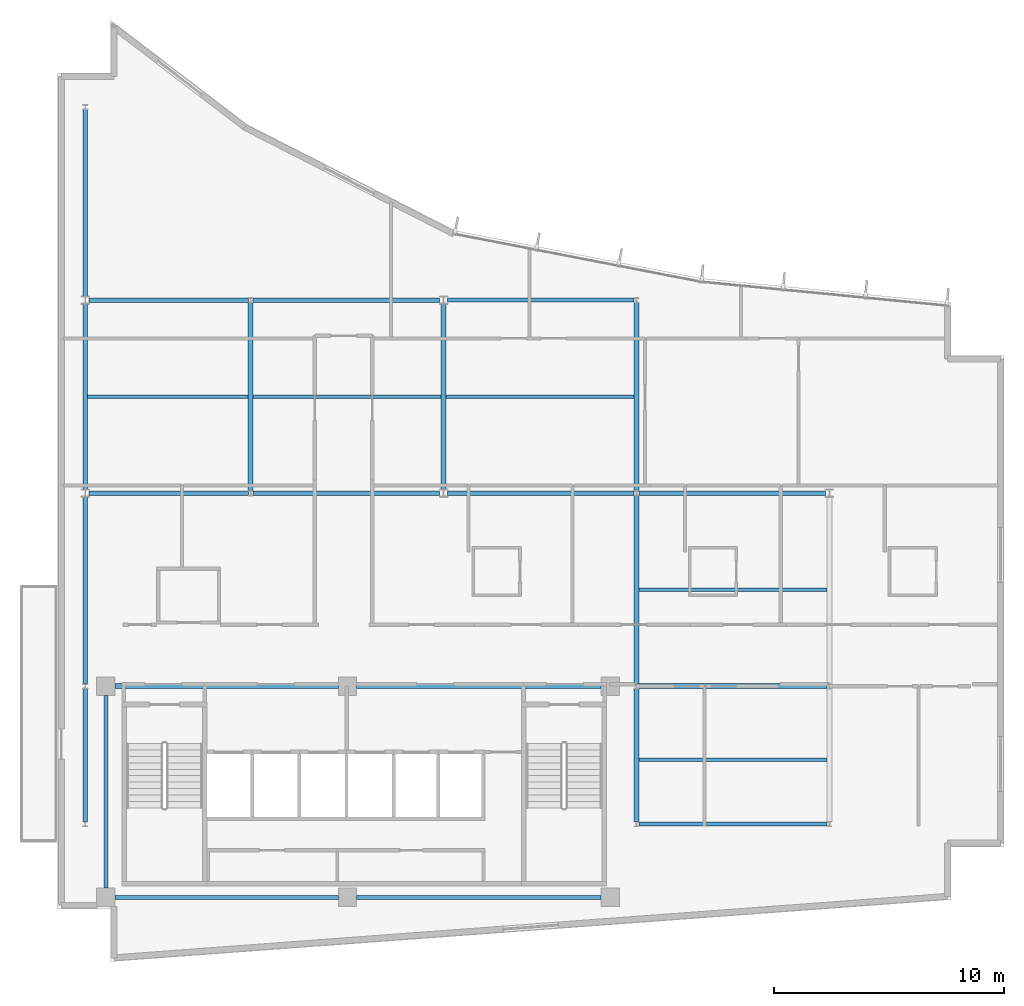
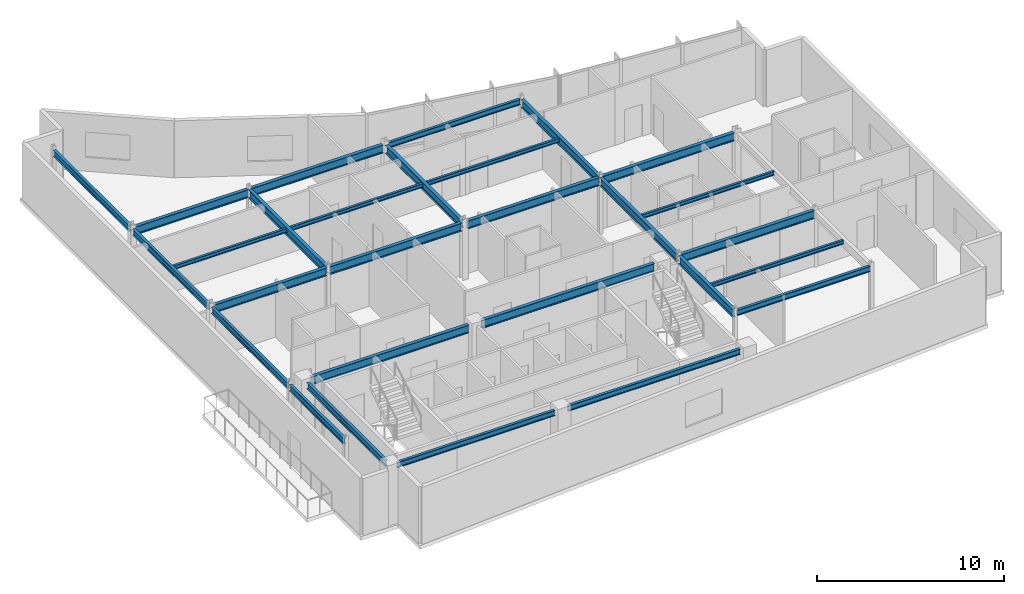
# One storey, part 5 of 16: 28 beams.
"""IFC4 building model written with IfcOpenShell, lengths in metres."""

from ifc_helpers import new_model, si_unit, direction, frame, origin, origin_2d, place, context, subcontext, project, spatial, i_section, extrude, material, material_profile, profile_set, type_object, element, save


model = new_model("IFC4")

# Units and contexts
model_context = context("Model", 3, precision=1e-05, world=origin(), true_north=direction((0.0, 1.0)))
body_context = subcontext(model_context, "Body", "Model", "MODEL_VIEW")
ifc_project = project(units=[si_unit("LENGTHUNIT", "METRE"), si_unit("AREAUNIT", "SQUARE_METRE"), si_unit("VOLUMEUNIT", "CUBIC_METRE"), si_unit("PLANEANGLEUNIT", "RADIAN"), si_unit("MASSUNIT", "GRAM", prefix="KILO")], contexts=[model_context])

# Site, building, storey
site_placement = place(None, origin())
site = spatial("IfcSite", under=ifc_project, at=site_placement, CompositionType="ELEMENT")
building_placement = place(site_placement, origin())
building = spatial("IfcBuilding", under=site, at=building_placement, Name="Varnakote Quay Hospital", CompositionType="ELEMENT")
storey_placement = place(building_placement, frame((0.0, 0.0, 280.25)))
storey = spatial("IfcBuildingStorey", under=building, at=storey_placement, Name="L69", CompositionType="ELEMENT", Elevation=280.25)

# Beams
ifc_material_1 = material(Name="Structural steel AS/NZS 3679.1 Grade 350 L0 (fy 340 MPa)", Category="steel")
ifc_material_profile_1 = material_profile(ifc_material_1, i_section(OverallWidth=0.208984375, OverallDepth=0.528076171875, WebThickness=0.009521484375, FlangeThickness=0.01318359375, FilletRadius=0.013916015625, at=origin_2d()), Name="530UB82.0")
ifc_profile_set_1 = profile_set([ifc_material_profile_1], Name="Structural steel AS/NZS 3679.1 Grade 350 L0 (fy 340 MPa)")
beam_type_1 = type_object("IfcBeamType", Name="BM-STL-530UB82-0", PredefinedType="BEAM", material=ifc_profile_set_1)
beam_1_placement = place(storey_placement, frame((2.5, 12.0, 3.446044921875), z_axis=(1.0, 0.0, 0.0), x_axis=(0.0, 1.0, 0.0)))
element("IfcBeam", 1, at=beam_1_placement, inside=storey, type_object=beam_type_1, Name="L69 Primary Floor Beam", PredefinedType="BEAM", context=body_context, shape_type="SweptSolid", body=[
    extrude(i_section(OverallWidth=0.208984375, OverallDepth=0.528076171875, WebThickness=0.009521484375, FlangeThickness=0.01318359375, FilletRadius=0.013916015625, at=origin_2d()), origin(), (0.0, 0.0, 1.0), 9.719970703125),
])
beam_2_placement = place(storey_placement, frame((13.02001953125, 12.0, 3.446044921875), z_axis=(1.0, 0.0, 0.0), x_axis=(0.0, 1.0, 0.0)))
element("IfcBeam", 2, at=beam_2_placement, inside=storey, type_object=beam_type_1, Name="L69 Primary Floor Beam", PredefinedType="BEAM", context=body_context, shape_type="SweptSolid", body=[
    extrude(i_section(OverallWidth=0.208984375, OverallDepth=0.528076171875, WebThickness=0.009521484375, FlangeThickness=0.01318359375, FilletRadius=0.013916015625, at=origin_2d()), origin(), (0.0, 0.0, 1.0), 10.6298828125),
])
beam_3_placement = place(storey_placement, frame((25.302490234375, 12.0, 3.446044921875), z_axis=(1.0, 0.0, 0.0), x_axis=(0.0, 1.0, 0.0)))
element("IfcBeam", 3, at=beam_3_placement, inside=storey, type_object=beam_type_1, Name="L69 Primary Floor Beam", PredefinedType="BEAM", context=body_context, shape_type="SweptSolid", body=[
    extrude(i_section(OverallWidth=0.208984375, OverallDepth=0.528076171875, WebThickness=0.009521484375, FlangeThickness=0.01318359375, FilletRadius=0.013916015625, at=origin_2d()), origin(), (0.0, 0.0, 1.0), 8.195068359375),
])
beam_4_placement = place(storey_placement, frame((1.375, 20.39990234375, 3.446044921875), z_axis=(1.0, 0.0, 0.0), x_axis=(0.0, 1.0, 0.0)))
element("IfcBeam", 4, at=beam_4_placement, inside=storey, type_object=beam_type_1, Name="L69 Primary Floor Beam", PredefinedType="BEAM", context=body_context, shape_type="SweptSolid", body=[
    extrude(i_section(OverallWidth=0.208984375, OverallDepth=0.528076171875, WebThickness=0.009521484375, FlangeThickness=0.01318359375, FilletRadius=0.013916015625, at=origin_2d()), origin(), (0.0, 0.0, 1.0), 6.922607421875),
])
beam_5_placement = place(storey_placement, frame((8.50244140625, 20.39990234375, 3.446044921875), z_axis=(1.0, 0.0, 0.0), x_axis=(0.0, 1.0, 0.0)))
element("IfcBeam", 5, at=beam_5_placement, inside=storey, type_object=beam_type_1, Name="L69 Primary Floor Beam", PredefinedType="BEAM", context=body_context, shape_type="SweptSolid", body=[
    extrude(i_section(OverallWidth=0.208984375, OverallDepth=0.528076171875, WebThickness=0.009521484375, FlangeThickness=0.01318359375, FilletRadius=0.013916015625, at=origin_2d()), origin(), (0.0, 0.0, 1.0), 8.12255859375),
])
beam_6_placement = place(storey_placement, frame((16.97509765625, 20.39990234375, 3.446044921875), z_axis=(1.0, 0.0, 0.0), x_axis=(0.0, 1.0, 0.0)))
element("IfcBeam", 6, at=beam_6_placement, inside=storey, type_object=beam_type_1, Name="L69 Primary Floor Beam", PredefinedType="BEAM", context=body_context, shape_type="SweptSolid", body=[
    extrude(i_section(OverallWidth=0.208984375, OverallDepth=0.528076171875, WebThickness=0.009521484375, FlangeThickness=0.01318359375, FilletRadius=0.013916015625, at=origin_2d()), origin(), (0.0, 0.0, 1.0), 8.122314453125),
])
beam_7_placement = place(storey_placement, frame((25.302490234375, 20.39990234375, 3.446044921875), z_axis=(1.0, 0.0, 0.0), x_axis=(0.0, 1.0, 0.0)))
element("IfcBeam", 7, at=beam_7_placement, inside=storey, type_object=beam_type_1, Name="L69 Primary Floor Beam", PredefinedType="BEAM", context=body_context, shape_type="SweptSolid", body=[
    extrude(i_section(OverallWidth=0.208984375, OverallDepth=0.528076171875, WebThickness=0.009521484375, FlangeThickness=0.01318359375, FilletRadius=0.013916015625, at=origin_2d()), origin(), (0.0, 0.0, 1.0), 8.12255859375),
])
beam_8_placement = place(storey_placement, frame((1.375, 28.800048828125, 3.446044921875), z_axis=(1.0, 0.0, 0.0), x_axis=(0.0, 1.0, 0.0)))
element("IfcBeam", 8, at=beam_8_placement, inside=storey, type_object=beam_type_1, Name="L69 Primary Floor Beam", PredefinedType="BEAM", context=body_context, shape_type="SweptSolid", body=[
    extrude(i_section(OverallWidth=0.208984375, OverallDepth=0.528076171875, WebThickness=0.009521484375, FlangeThickness=0.01318359375, FilletRadius=0.013916015625, at=origin_2d()), origin(), (0.0, 0.0, 1.0), 6.922607421875),
])
beam_9_placement = place(storey_placement, frame((8.50244140625, 28.800048828125, 3.446044921875), z_axis=(1.0, 0.0, 0.0), x_axis=(0.0, 1.0, 0.0)))
element("IfcBeam", 9, at=beam_9_placement, inside=storey, type_object=beam_type_1, Name="L69 Primary Floor Beam", PredefinedType="BEAM", context=body_context, shape_type="SweptSolid", body=[
    extrude(i_section(OverallWidth=0.208984375, OverallDepth=0.528076171875, WebThickness=0.009521484375, FlangeThickness=0.01318359375, FilletRadius=0.013916015625, at=origin_2d()), origin(), (0.0, 0.0, 1.0), 8.12255859375),
])
beam_10_placement = place(storey_placement, frame((8.39990234375, 20.5048828125, 3.446044921875), z_axis=(0.0, 1.0, 0.0), x_axis=(-1.0, 0.0, 0.0)))
element("IfcBeam", 10, at=beam_10_placement, inside=storey, type_object=beam_type_1, Name="L69 Primary Tie Beam", PredefinedType="BEAM", context=body_context, shape_type="SweptSolid", body=[
    extrude(i_section(OverallWidth=0.208984375, OverallDepth=0.528076171875, WebThickness=0.009521484375, FlangeThickness=0.01318359375, FilletRadius=0.013916015625, at=origin_2d()), origin(), (0.0, 0.0, 1.0), 8.190185546875),
])
beam_11_placement = place(storey_placement, frame((16.800048828125, 20.570068359375, 3.446044921875), z_axis=(0.0, 1.0, 0.0), x_axis=(-1.0, 0.0, 0.0)))
element("IfcBeam", 11, at=beam_11_placement, inside=storey, type_object=beam_type_1, Name="L69 Primary Tie Beam", PredefinedType="BEAM", context=body_context, shape_type="SweptSolid", body=[
    extrude(i_section(OverallWidth=0.208984375, OverallDepth=0.528076171875, WebThickness=0.009521484375, FlangeThickness=0.01318359375, FilletRadius=0.013916015625, at=origin_2d()), origin(), (0.0, 0.0, 1.0), 8.059814453125),
])
beam_12_placement = place(storey_placement, frame((25.199951171875, 6.10498046875, 3.446044921875), z_axis=(0.0, 1.0, 0.0), x_axis=(-1.0, 0.0, 0.0)))
element("IfcBeam", 12, at=beam_12_placement, inside=storey, type_object=beam_type_1, Name="L69 Primary Tie Beam", PredefinedType="BEAM", context=body_context, shape_type="SweptSolid", body=[
    extrude(i_section(OverallWidth=0.208984375, OverallDepth=0.528076171875, WebThickness=0.009521484375, FlangeThickness=0.01318359375, FilletRadius=0.013916015625, at=origin_2d()), origin(), (0.0, 0.0, 1.0), 5.7900390625),
])
beam_13_placement = place(storey_placement, frame((25.199951171875, 12.10498046875, 3.446044921875), z_axis=(0.0, 1.0, 0.0), x_axis=(-1.0, 0.0, 0.0)))
element("IfcBeam", 13, at=beam_13_placement, inside=storey, type_object=beam_type_1, Name="L69 Primary Tie Beam", PredefinedType="BEAM", context=body_context, shape_type="SweptSolid", body=[
    extrude(i_section(OverallWidth=0.208984375, OverallDepth=0.528076171875, WebThickness=0.009521484375, FlangeThickness=0.01318359375, FilletRadius=0.013916015625, at=origin_2d()), origin(), (0.0, 0.0, 1.0), 8.18994140625),
])
beam_14_placement = place(storey_placement, frame((25.199951171875, 20.5048828125, 3.446044921875), z_axis=(0.0, 1.0, 0.0), x_axis=(-1.0, 0.0, 0.0)))
element("IfcBeam", 14, at=beam_14_placement, inside=storey, type_object=beam_type_1, Name="L69 Primary Tie Beam", PredefinedType="BEAM", context=body_context, shape_type="SweptSolid", body=[
    extrude(i_section(OverallWidth=0.208984375, OverallDepth=0.528076171875, WebThickness=0.009521484375, FlangeThickness=0.01318359375, FilletRadius=0.013916015625, at=origin_2d()), origin(), (0.0, 0.0, 1.0), 8.190185546875),
])
ifc_material_2 = material(Name="Structural steel AS/NZS 3679.1 Grade 350 L0 (fy 340 MPa)", Category="steel")
ifc_material_profile_2 = material_profile(ifc_material_2, i_section(OverallWidth=0.14599609375, OverallDepth=0.256103515625, WebThickness=0.00634765625, FlangeThickness=0.010986328125, FilletRadius=0.0087890625, at=origin_2d()), Name="250UB37.3")
ifc_profile_set_2 = profile_set([ifc_material_profile_2], Name="Structural steel AS/NZS 3679.1 Grade 350 L0 (fy 340 MPa)")
beam_type_2 = type_object("IfcBeamType", Name="JST-STL-250UB37-3", PredefinedType="JOIST", material=ifc_profile_set_2)
for number, where, z_axis, x_axis, name in (
    (15, (25.304443359375, 8.800048828125, 3.58203125), (1.0, 0.0, 0.0), (0.0, 1.0, 0.0), "L69 Composite Floor Joist"),
    (16, (25.304443359375, 16.199951171875, 3.58203125), (1.0, 0.0, 0.0), (0.0, 1.0, 0.0), "L69 Composite Floor Joist"),
):
    element("IfcBeam", number, at=place(storey_placement, frame(where, z_axis=z_axis, x_axis=x_axis)), inside=storey, type_object=beam_type_2, Name=name, PredefinedType="JOIST", context=body_context, shape_type="SweptSolid", body=[
        extrude(i_section(OverallWidth=0.14599609375, OverallDepth=0.256103515625, WebThickness=0.00634765625, FlangeThickness=0.010986328125, FilletRadius=0.0087890625, at=origin_2d()), origin(), (0.0, 0.0, 1.0), 8.191162109375),
    ])
beam_15_placement = place(storey_placement, frame((1.2890625, 24.60009765625, 3.58203125), z_axis=(1.0, 0.0, 0.0), x_axis=(0.0, 1.0, 0.0)))
element("IfcBeam", 17, at=beam_15_placement, inside=storey, type_object=beam_type_2, Name="L69 Composite Floor Joist", PredefinedType="JOIST", context=body_context, shape_type="SweptSolid", body=[
    extrude(i_section(OverallWidth=0.14599609375, OverallDepth=0.256103515625, WebThickness=0.00634765625, FlangeThickness=0.010986328125, FilletRadius=0.0087890625, at=origin_2d()), origin(), (0.0, 0.0, 1.0), 7.00634765625),
])
beam_16_placement = place(storey_placement, frame((8.50439453125, 24.60009765625, 3.58203125), z_axis=(1.0, 0.0, 0.0), x_axis=(0.0, 1.0, 0.0)))
element("IfcBeam", 18, at=beam_16_placement, inside=storey, type_object=beam_type_2, Name="L69 Composite Floor Joist", PredefinedType="JOIST", context=body_context, shape_type="SweptSolid", body=[
    extrude(i_section(OverallWidth=0.14599609375, OverallDepth=0.256103515625, WebThickness=0.00634765625, FlangeThickness=0.010986328125, FilletRadius=0.0087890625, at=origin_2d()), origin(), (0.0, 0.0, 1.0), 8.191162109375),
])
beam_17_placement = place(storey_placement, frame((16.904541015625, 24.60009765625, 3.58203125), z_axis=(1.0, 0.0, 0.0), x_axis=(0.0, 1.0, 0.0)))
element("IfcBeam", 19, at=beam_17_placement, inside=storey, type_object=beam_type_2, Name="L69 Composite Floor Joist", PredefinedType="JOIST", context=body_context, shape_type="SweptSolid", body=[
    extrude(i_section(OverallWidth=0.14599609375, OverallDepth=0.256103515625, WebThickness=0.00634765625, FlangeThickness=0.010986328125, FilletRadius=0.0087890625, at=origin_2d()), origin(), (0.0, 0.0, 1.0), 8.19091796875),
])
ifc_material_3 = material(Name="Structural steel AS/NZS 3679.1 Grade 350 L0 (fy 340 MPa)", Category="steel")
ifc_material_profile_3 = material_profile(ifc_material_3, i_section(OverallWidth=0.172119140625, OverallDepth=0.35888671875, WebThickness=0.008056640625, FlangeThickness=0.012939453125, FilletRadius=0.011474609375, at=origin_2d()), Name="360UB56.7")
ifc_profile_set_3 = profile_set([ifc_material_profile_3], Name="Structural steel AS/NZS 3679.1 Grade 350 L0 (fy 340 MPa)")
beam_type_3 = type_object("IfcBeamType", Name="SPN-STL-360UB56-7", PredefinedType="SPANDREL", material=ifc_profile_set_3)
beam_18_placement = place(storey_placement, frame((2.5, 2.800048828125, 3.530517578125), z_axis=(1.0, 0.0, 0.0), x_axis=(0.0, 1.0, 0.0)))
element("IfcBeam", 20, at=beam_18_placement, inside=storey, type_object=beam_type_3, Name="L69 Perimeter Spandrel Beam", PredefinedType="SPANDREL", context=body_context, shape_type="SweptSolid", body=[
    extrude(i_section(OverallWidth=0.172119140625, OverallDepth=0.35888671875, WebThickness=0.008056640625, FlangeThickness=0.012939453125, FilletRadius=0.011474609375, at=origin_2d()), origin(), (0.0, 0.0, 1.0), 9.719970703125),
])
beam_19_placement = place(storey_placement, frame((13.02001953125, 2.800048828125, 3.530517578125), z_axis=(1.0, 0.0, 0.0), x_axis=(0.0, 1.0, 0.0)))
element("IfcBeam", 21, at=beam_19_placement, inside=storey, type_object=beam_type_3, Name="L69 Perimeter Spandrel Beam", PredefinedType="SPANDREL", context=body_context, shape_type="SweptSolid", body=[
    extrude(i_section(OverallWidth=0.172119140625, OverallDepth=0.35888671875, WebThickness=0.008056640625, FlangeThickness=0.012939453125, FilletRadius=0.011474609375, at=origin_2d()), origin(), (0.0, 0.0, 1.0), 10.6298828125),
])
beam_20_placement = place(storey_placement, frame((25.302490234375, 6.0, 3.530517578125), z_axis=(1.0, 0.0, 0.0), x_axis=(0.0, 1.0, 0.0)))
element("IfcBeam", 22, at=beam_20_placement, inside=storey, type_object=beam_type_3, Name="L69 Perimeter Spandrel Beam", PredefinedType="SPANDREL", context=body_context, shape_type="SweptSolid", body=[
    extrude(i_section(OverallWidth=0.172119140625, OverallDepth=0.35888671875, WebThickness=0.008056640625, FlangeThickness=0.012939453125, FilletRadius=0.011474609375, at=origin_2d()), origin(), (0.0, 0.0, 1.0), 8.195068359375),
])
beam_21_placement = place(storey_placement, frame((16.97509765625, 28.800048828125, 3.530517578125), z_axis=(1.0, 0.0, 0.0), x_axis=(0.0, 1.0, 0.0)))
element("IfcBeam", 23, at=beam_21_placement, inside=storey, type_object=beam_type_3, Name="L69 Perimeter Spandrel Beam", PredefinedType="SPANDREL", context=body_context, shape_type="SweptSolid", body=[
    extrude(i_section(OverallWidth=0.172119140625, OverallDepth=0.35888671875, WebThickness=0.008056640625, FlangeThickness=0.012939453125, FilletRadius=0.011474609375, at=origin_2d()), origin(), (0.0, 0.0, 1.0), 8.122314453125),
])
ifc_material_4 = material(Name="Structural steel AS/NZS 3679.1 Grade 350 L0 (fy 340 MPa)", Category="steel")
ifc_material_profile_4 = material_profile(ifc_material_4, i_section(OverallWidth=0.177978515625, OverallDepth=0.403076171875, WebThickness=0.007568359375, FlangeThickness=0.010986328125, FilletRadius=0.011474609375, at=origin_2d()), Name="410UB53.7")
ifc_profile_set_4 = profile_set([ifc_material_profile_4], Name="Structural steel AS/NZS 3679.1 Grade 350 L0 (fy 340 MPa)")
beam_type_4 = type_object("IfcBeamType", Name="SPN-STL-410UB53-7", PredefinedType="SPANDREL", material=ifc_profile_set_4)
beam_22_placement = place(storey_placement, frame((1.199951171875, 6.10498046875, 3.508544921875), z_axis=(0.0, 1.0, 0.0), x_axis=(-1.0, 0.0, 0.0)))
element("IfcBeam", 24, at=beam_22_placement, inside=storey, type_object=beam_type_4, Name="L69 Perimeter Spandrel Beam", PredefinedType="SPANDREL", context=body_context, shape_type="SweptSolid", body=[
    extrude(i_section(OverallWidth=0.177978515625, OverallDepth=0.403076171875, WebThickness=0.007568359375, FlangeThickness=0.010986328125, FilletRadius=0.011474609375, at=origin_2d()), origin(), (0.0, 0.0, 1.0), 5.7900390625),
])
beam_23_placement = place(storey_placement, frame((1.199951171875, 12.10498046875, 3.508544921875), z_axis=(0.0, 1.0, 0.0), x_axis=(-1.0, 0.0, 0.0)))
element("IfcBeam", 25, at=beam_23_placement, inside=storey, type_object=beam_type_4, Name="L69 Perimeter Spandrel Beam", PredefinedType="SPANDREL", context=body_context, shape_type="SweptSolid", body=[
    extrude(i_section(OverallWidth=0.177978515625, OverallDepth=0.403076171875, WebThickness=0.007568359375, FlangeThickness=0.010986328125, FilletRadius=0.011474609375, at=origin_2d()), origin(), (0.0, 0.0, 1.0), 8.125),
])
beam_24_placement = place(storey_placement, frame((1.199951171875, 20.570068359375, 3.508544921875), z_axis=(0.0, 1.0, 0.0), x_axis=(-1.0, 0.0, 0.0)))
element("IfcBeam", 26, at=beam_24_placement, inside=storey, type_object=beam_type_4, Name="L69 Perimeter Spandrel Beam", PredefinedType="SPANDREL", context=body_context, shape_type="SweptSolid", body=[
    extrude(i_section(OverallWidth=0.177978515625, OverallDepth=0.403076171875, WebThickness=0.007568359375, FlangeThickness=0.010986328125, FilletRadius=0.011474609375, at=origin_2d()), origin(), (0.0, 0.0, 1.0), 8.059814453125),
])
beam_25_placement = place(storey_placement, frame((1.199951171875, 28.969970703125, 3.508544921875), z_axis=(0.0, 1.0, 0.0), x_axis=(-1.0, 0.0, 0.0)))
element("IfcBeam", 27, at=beam_25_placement, inside=storey, type_object=beam_type_4, Name="L69 Perimeter Spandrel Beam", PredefinedType="SPANDREL", context=body_context, shape_type="SweptSolid", body=[
    extrude(i_section(OverallWidth=0.177978515625, OverallDepth=0.403076171875, WebThickness=0.007568359375, FlangeThickness=0.010986328125, FilletRadius=0.011474609375, at=origin_2d()), origin(), (0.0, 0.0, 1.0), 8.125),
])
beam_26_placement = place(storey_placement, frame((2.10009765625, 3.199951171875, 3.508544921875), z_axis=(0.0, 1.0, 0.0), x_axis=(-1.0, 0.0, 0.0)))
element("IfcBeam", 28, at=beam_26_placement, inside=storey, type_object=beam_type_4, Name="L69 Perimeter Spandrel Beam", PredefinedType="SPANDREL", context=body_context, shape_type="SweptSolid", body=[
    extrude(i_section(OverallWidth=0.177978515625, OverallDepth=0.403076171875, WebThickness=0.007568359375, FlangeThickness=0.010986328125, FilletRadius=0.011474609375, at=origin_2d()), origin(), (0.0, 0.0, 1.0), 8.400146484375),
])

save(model, "model.ifc")
